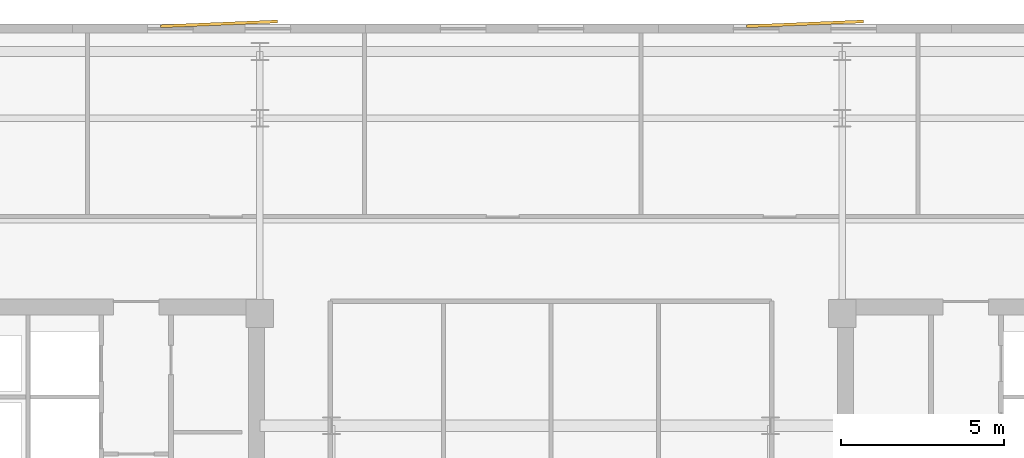
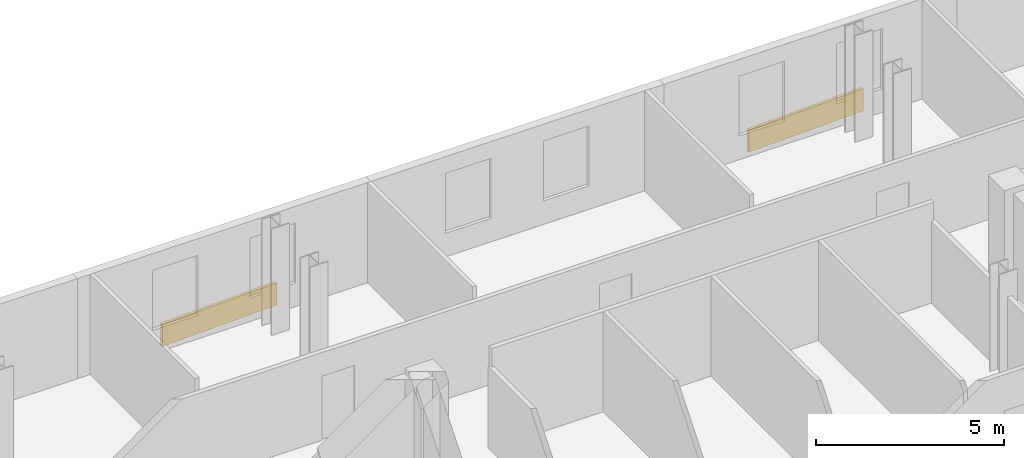
# One storey, part 9 of 9: 2 coverings.
"""IFC4 building model written with IfcOpenShell, lengths in metres."""

from ifc_helpers import new_model, si_unit, direction, frame, origin, origin_2d, place, context, subcontext, project, spatial, rectangle, extrude, material, layer, layer_set, type_object, element, save


model = new_model("IFC4")

# Units and contexts
model_context = context("Model", 3, precision=1e-05, world=origin(), true_north=direction((0.0, 1.0)))
body_context = subcontext(model_context, "Body", "Model", "MODEL_VIEW")
ifc_project = project(units=[si_unit("LENGTHUNIT", "METRE"), si_unit("AREAUNIT", "SQUARE_METRE"), si_unit("VOLUMEUNIT", "CUBIC_METRE"), si_unit("PLANEANGLEUNIT", "RADIAN"), si_unit("MASSUNIT", "GRAM", prefix="KILO")], contexts=[model_context])

# Site, building, storey
site_placement = place(None, origin())
site = spatial("IfcSite", under=ifc_project, at=site_placement, CompositionType="ELEMENT")
building_placement = place(site_placement, origin())
building = spatial("IfcBuilding", under=site, at=building_placement, Name="Velakula Bourse", CompositionType="ELEMENT")
storey_placement = place(building_placement, frame((0.0, 0.0, 236.10009765625)))
storey = spatial("IfcBuildingStorey", under=building, at=storey_placement, Name="L64", CompositionType="ELEMENT", Elevation=236.10009765625)

# Coverings
ifc_material = material(Name="Red kilned clay facing brick masonry", Category="masonry")
ifc_layer = layer(ifc_material, 0.090087890625, Name="Red kilned clay facing brick masonry", Category="masonry")
ifc_layer_set = layer_set([ifc_layer], Name="Red kilned clay facing brick masonry")
covering_type = type_object("IfcCoveringType", Name="COV-BRK-FOLD-90", PredefinedType="CLADDING", material=ifc_layer_set)
for number, where, z_axis, x_axis, name in (
    (1, (-10.199951171875, 17.5, 0.0), (0.0, 0.0, 1.0), (0.999158993058, 0.041003738744, 0.0), "L64 Folded Brick Facade Cladding Panel N-B2"),
    (2, (7.800048828125, 17.5, 0.0), (0.0, 0.0, 1.0), (0.999158993058, 0.041003738744, 0.0), "L64 Folded Brick Facade Cladding Panel N-B4"),
):
    element("IfcCovering", number, at=place(storey_placement, frame(where, z_axis=z_axis, x_axis=x_axis)), inside=storey, type_object=covering_type, Name=name, PredefinedType="CLADDING", context=body_context, shape_type="SweptSolid", body=[
        extrude(rectangle(XDim=3.60009765625, YDim=0.090087890625, at=origin_2d()), origin(), (0.0, 0.0, 1.0), 0.719970703125),
    ])

save(model, "model.ifc")
